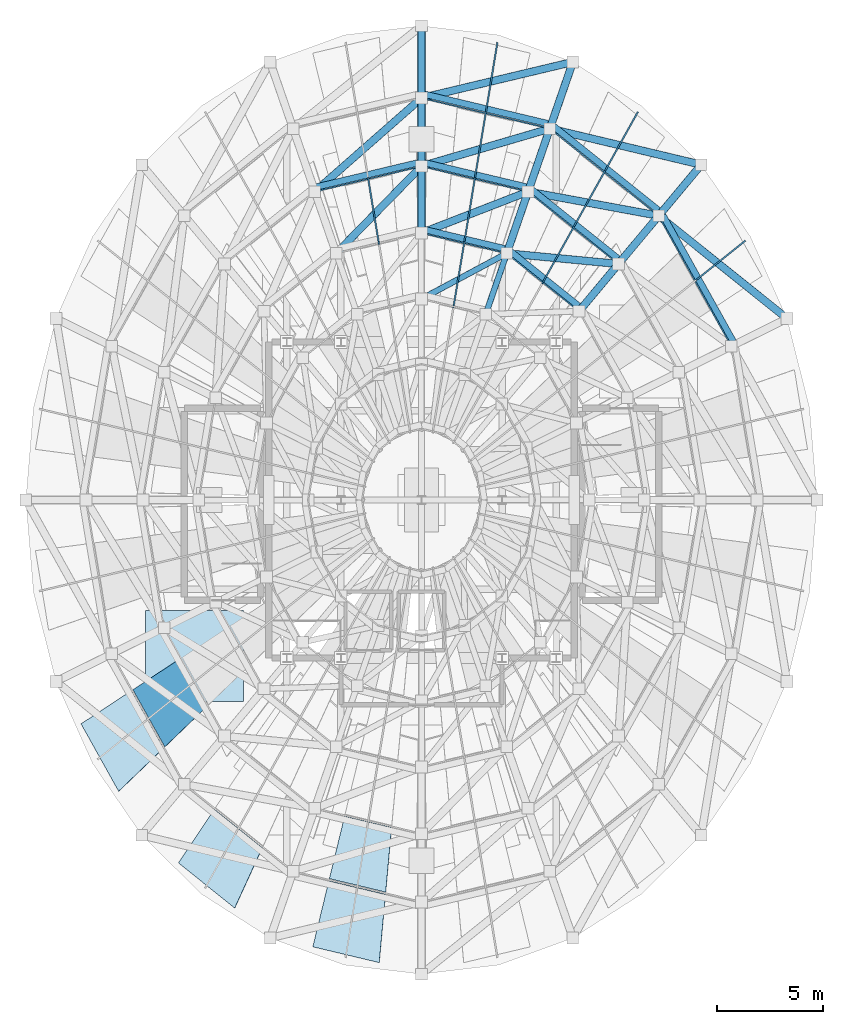
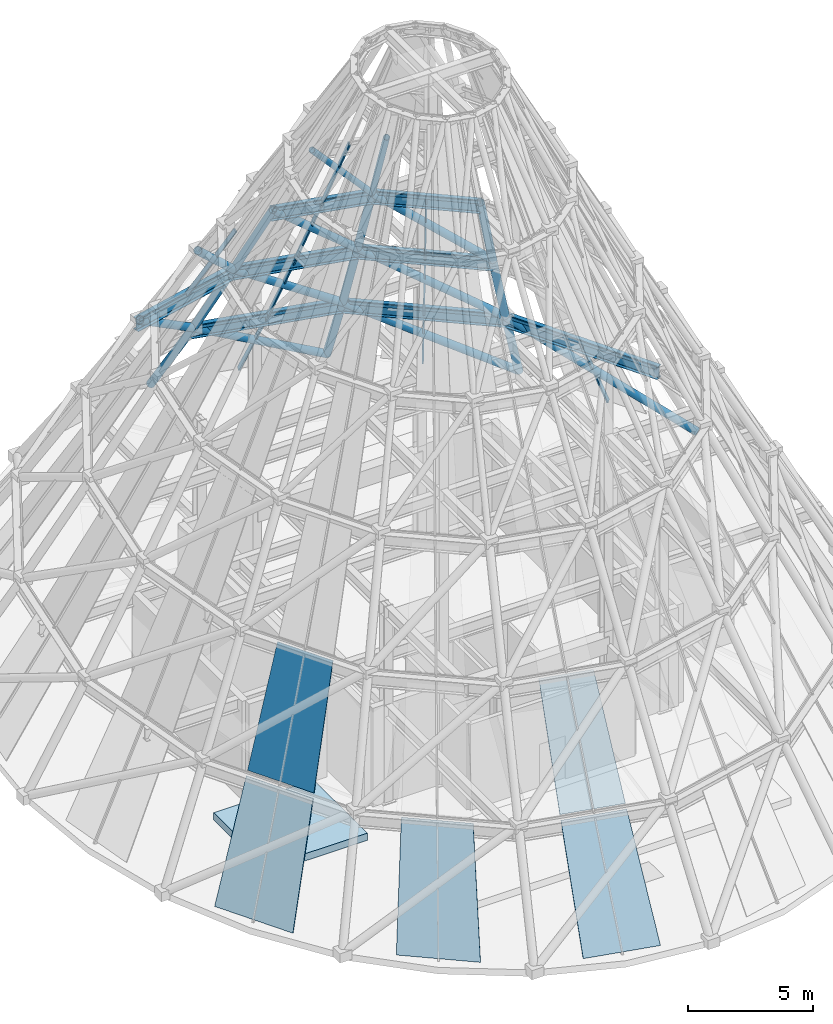
# One storey, part 10 of 16: 37 members, 8 beams, 5 plates, 1 slab, 4 elements without a shape of their own.
"""IFC4 building model written with IfcOpenShell, lengths in metres."""

from ifc_helpers import new_model, si_unit, direction, frame, origin, origin_2d, place, context, subcontext, project, spatial, polyline, hollow_rectangle, hollow_circle, i_section, outline, extrude, material, layer, layer_set, material_profile, profile_set, type_object, element, aggregate, save


model = new_model("IFC4")

# Units and contexts
model_context = context("Model", 3, precision=1e-05, world=origin(), true_north=direction((0.0, 1.0)))
body_context = subcontext(model_context, "Body", "Model", "MODEL_VIEW")
ifc_project = project(units=[si_unit("LENGTHUNIT", "METRE"), si_unit("AREAUNIT", "SQUARE_METRE"), si_unit("VOLUMEUNIT", "CUBIC_METRE"), si_unit("PLANEANGLEUNIT", "RADIAN"), si_unit("MASSUNIT", "GRAM", prefix="KILO")], contexts=[model_context])

# Site, building, storey
site_placement = place(None, origin())
site = spatial("IfcSite", under=ifc_project, at=site_placement, CompositionType="ELEMENT")
building_placement = place(site_placement, origin())
building = spatial("IfcBuilding", under=site, at=building_placement, Name="Veldorina Hangang Commons", CompositionType="ELEMENT")
storey_placement = place(building_placement, frame((0.0, 0.0, 308.39990234375)))
storey = spatial("IfcBuildingStorey", under=building, at=storey_placement, Name="Crown", CompositionType="ELEMENT", Elevation=308.39990234375)

# Beams
ifc_material_1 = material(Name="Steel SM460-TMC", Category="steel")
ifc_material_profile_1 = material_profile(ifc_material_1, i_section(OverallWidth=0.300048828125, OverallDepth=0.587890625, WebThickness=0.011962890625, FlangeThickness=0.02001953125, FilletRadius=0.01806640625, at=origin_2d()), Name="H-588x300x12x20")
ifc_profile_set_1 = profile_set([ifc_material_profile_1], Name="Steel SM460-TMC")
beam_type = type_object("IfcBeamType", Name="BM-FG588", PredefinedType="BEAM", material=ifc_profile_set_1)
beam_1_placement = place(storey_placement, frame((46.77197265625, 31.332763671875, 4.5), z_axis=(-0.48700541563, 0.873398949591, 0.0), x_axis=(-0.873398949591, -0.48700541563, 0.0)))
element("IfcBeam", 1, at=beam_1_placement, inside=storey, type_object=beam_type, Name="Crown tier 1 ring beam 01", PredefinedType="BEAM", context=body_context, shape_type="SweptSolid", body=[
    extrude(i_section(OverallWidth=0.300048828125, OverallDepth=0.587890625, WebThickness=0.011962890625, FlangeThickness=0.02001953125, FilletRadius=0.01806640625, at=origin_2d()), origin(), (0.0, 0.0, 1.0), 7.1171875),
])
beam_2_placement = place(storey_placement, frame((43.305908203125, 37.548828125, 4.5), z_axis=(-0.780592742978, 0.62503997441, 0.0), x_axis=(-0.62503997441, -0.780592742978, 0.0)))
element("IfcBeam", 2, at=beam_2_placement, inside=storey, type_object=beam_type, Name="Crown tier 1 ring beam 02", PredefinedType="BEAM", context=body_context, shape_type="SweptSolid", body=[
    extrude(i_section(OverallWidth=0.300048828125, OverallDepth=0.587890625, WebThickness=0.011962890625, FlangeThickness=0.02001953125, FilletRadius=0.01806640625, at=origin_2d()), origin(), (0.0, 0.0, 1.0), 6.645263671875),
])
beam_3_placement = place(storey_placement, frame((38.11865234375, 41.702392578125, 4.5), z_axis=(-0.972737457446, 0.231909117718, 0.0), x_axis=(-0.231909117718, -0.972737457446, 0.0)))
element("IfcBeam", 3, at=beam_3_placement, inside=storey, type_object=beam_type, Name="Crown tier 1 ring beam 03", PredefinedType="BEAM", context=body_context, shape_type="SweptSolid", body=[
    extrude(i_section(OverallWidth=0.300048828125, OverallDepth=0.587890625, WebThickness=0.011962890625, FlangeThickness=0.02001953125, FilletRadius=0.01806640625, at=origin_2d()), origin(), (0.0, 0.0, 1.0), 6.2900390625),
])
beam_4_placement = place(storey_placement, frame((41.40185546875, 35.26708984375, 9.300048828125), z_axis=(-0.780592886021, 0.625039795768, 0.0), x_axis=(-0.625039795768, -0.780592886021, 0.0)))
element("IfcBeam", 4, at=beam_4_placement, inside=storey, type_object=beam_type, Name="Crown tier 2 ring beam 02", PredefinedType="BEAM", context=body_context, shape_type="SweptSolid", body=[
    extrude(i_section(OverallWidth=0.300048828125, OverallDepth=0.587890625, WebThickness=0.011962890625, FlangeThickness=0.02001953125, FilletRadius=0.01806640625, at=origin_2d()), origin(), (0.0, 0.0, 1.0), 5.526123046875),
])
for number, where, z_axis, x_axis, name in (
    (5, (37.088134765625, 38.72119140625, 9.300048828125), (-0.972744581879, 0.231879232416, 0.0), (-0.231879232416, -0.972744581879, 0.0), "Crown tier 2 ring beam 03"),
    (6, (32.0, 39.93408203125, 9.300048828125), (-0.972744581879, -0.231879232416, 0.0), (0.231879232416, -0.972744581879, 0.0), "Crown tier 2 ring beam 04"),
):
    element("IfcBeam", number, at=place(storey_placement, frame(where, z_axis=z_axis, x_axis=x_axis)), inside=storey, type_object=beam_type, Name=name, PredefinedType="BEAM", context=body_context, shape_type="SweptSolid", body=[
        extrude(i_section(OverallWidth=0.300048828125, OverallDepth=0.587890625, WebThickness=0.011962890625, FlangeThickness=0.02001953125, FilletRadius=0.01806640625, at=origin_2d()), origin(), (0.0, 0.0, 1.0), 5.230712890625),
    ])
beam_5_placement = place(storey_placement, frame((39.54150390625, 33.03759765625, 14.10009765625), z_axis=(-0.780610819839, 0.625017398118, 0.0), x_axis=(-0.625017398118, -0.780610819839, 0.0)))
element("IfcBeam", 7, at=beam_5_placement, inside=storey, type_object=beam_type, Name="Crown tier 3 ring beam 02", PredefinedType="BEAM", context=body_context, shape_type="SweptSolid", body=[
    extrude(i_section(OverallWidth=0.300048828125, OverallDepth=0.587890625, WebThickness=0.011962890625, FlangeThickness=0.02001953125, FilletRadius=0.01806640625, at=origin_2d()), origin(), (0.0, 0.0, 1.0), 4.4326171875),
])
beam_6_placement = place(storey_placement, frame((36.081298828125, 35.80810546875, 14.10009765625), z_axis=(-0.972743744908, 0.231882743522, 0.0), x_axis=(-0.231882743522, -0.972743744908, 0.0)))
element("IfcBeam", 8, at=beam_6_placement, inside=storey, type_object=beam_type, Name="Crown tier 3 ring beam 03", PredefinedType="BEAM", context=body_context, shape_type="SweptSolid", body=[
    extrude(i_section(OverallWidth=0.300048828125, OverallDepth=0.587890625, WebThickness=0.011962890625, FlangeThickness=0.02001953125, FilletRadius=0.01806640625, at=origin_2d()), origin(), (0.0, 0.0, 1.0), 4.195556640625),
])

# Members
ifc_material_2 = material(Name="Steel SM355-TMC", Category="steel")
ifc_material_profile_2 = material_profile(ifc_material_2, hollow_circle(Radius=0.136474609375, WallThickness=0.011962890625, at=origin_2d()), Name="CHS-273.0x12")
ifc_profile_set_2 = profile_set([ifc_material_profile_2], Name="Steel SM355-TMC")
member_type_1 = type_object("IfcMemberType", Name="CRN-RIB273", PredefinedType="BRACE", material=ifc_profile_set_2)
member_1_placement = place(storey_placement, frame((36.0185546875, 35.626220703125, 14.400146484375), z_axis=(-0.174642809834, -0.505273499779, 0.845102703459), x_axis=(0.945136052308, -0.326676969845, 0.0)))
element("IfcMember", 9, at=member_1_placement, inside=storey, type_object=member_type_1, Name="Crown tier 4 CROWN FRAME meridian rib 03", PredefinedType="BRACE", context=body_context, shape_type="SweptSolid", body=[
    extrude(hollow_circle(Radius=0.136474609375, WallThickness=0.011962890625, at=origin_2d()), origin(), (0.0, 0.0, 1.0), 5.679931640625),
])
member_2_placement = place(storey_placement, frame((36.0185546875, 35.626220703125, 14.400146484375), z_axis=(-0.607166596877, -0.324609116192, 0.725243162892), x_axis=(0.471477856671, -0.881877900091, 0.0)))
element("IfcMember", 10, at=member_2_placement, inside=storey, type_object=member_type_1, Name="Crown tier 4 CROWN FRAME diagrid brace 03", PredefinedType="BRACE", context=body_context, shape_type="SweptSolid", body=[
    extrude(hollow_circle(Radius=0.136474609375, WallThickness=0.011962890625, at=origin_2d()), origin(), (0.0, 0.0, 1.0), 6.61865234375),
])
ifc_material_profile_3 = material_profile(ifc_material_2, hollow_circle(Radius=0.177734375, WallThickness=0.01611328125, at=origin_2d()), Name="CHS-355.6x16")
ifc_profile_set_3 = profile_set([ifc_material_profile_3], Name="Steel SM355-TMC")
member_type_2 = type_object("IfcMemberType", Name="CRN-RIB355", PredefinedType="BRACE", material=ifc_profile_set_3)
member_3_placement = place(storey_placement, frame((49.23046875, 32.552978515625, 0.0), z_axis=(-0.663582038521, 0.531486877066, 0.526479418077), x_axis=(-0.62514050466, -0.780512235287, 0.0)))
element("IfcMember", 11, at=member_3_placement, inside=storey, type_object=member_type_2, Name="Crown tier 1 CROWN FRAME diagrid brace 01", PredefinedType="BRACE", context=body_context, shape_type="SweptSolid", body=[
    extrude(hollow_circle(Radius=0.177734375, WallThickness=0.01611328125, at=origin_2d()), origin(), (0.0, 0.0, 1.0), 9.1171875),
])
member_4_placement = place(storey_placement, frame((45.1875, 39.8037109375, 0.0), z_axis=(-0.350168559507, -0.419597430934, 0.837448491482), x_axis=(0.767767513013, -0.640728527508, 0.0)))
element("IfcMember", 12, at=member_4_placement, inside=storey, type_object=member_type_2, Name="Crown tier 1 CROWN FRAME meridian rib 02", PredefinedType="BRACE", context=body_context, shape_type="SweptSolid", body=[
    extrude(hollow_circle(Radius=0.177734375, WallThickness=0.01611328125, at=origin_2d()), origin(), (0.0, 0.0, 1.0), 5.731689453125),
])
member_5_placement = place(storey_placement, frame((45.1875, 39.8037109375, 0.0), z_axis=(-0.813984788698, 0.194167895853, 0.547473827675), x_axis=(-0.232029880817, -0.972708658545, 0.0)))
element("IfcMember", 13, at=member_5_placement, inside=storey, type_object=member_type_2, Name="Crown tier 1 CROWN FRAME diagrid brace 02", PredefinedType="BRACE", context=body_context, shape_type="SweptSolid", body=[
    extrude(hollow_circle(Radius=0.177734375, WallThickness=0.01611328125, at=origin_2d()), origin(), (0.0, 0.0, 1.0), 8.767578125),
])
member_6_placement = place(storey_placement, frame((39.136962890625, 44.648681640625, 0.0), z_axis=(-0.186016034255, -0.538187995712, 0.822041188914), x_axis=(0.945137867095, -0.32667171929, 0.0)))
element("IfcMember", 14, at=member_6_placement, inside=storey, type_object=member_type_2, Name="Crown tier 1 CROWN FRAME meridian rib 03", PredefinedType="BRACE", context=body_context, shape_type="SweptSolid", body=[
    extrude(hollow_circle(Radius=0.177734375, WallThickness=0.01611328125, at=origin_2d()), origin(), (0.0, 0.0, 1.0), 5.839111328125),
])
member_7_placement = place(storey_placement, frame((39.136962890625, 44.648681640625, 0.0), z_axis=(-0.814033769308, -0.19392231962, 0.547488042225), x_axis=(0.231738993525, -0.97277800082, 0.0)))
element("IfcMember", 15, at=member_7_placement, inside=storey, type_object=member_type_2, Name="Crown tier 1 CROWN FRAME diagrid brace 03", PredefinedType="BRACE", context=body_context, shape_type="SweptSolid", body=[
    extrude(hollow_circle(Radius=0.177734375, WallThickness=0.01611328125, at=origin_2d()), origin(), (0.0, 0.0, 1.0), 8.767333984375),
])
member_8_placement = place(storey_placement, frame((32.0, 46.35009765625, 0.0), z_axis=(0.0, -0.578195793628, 0.815898047694), x_axis=(1.0, 0.0, 0.0)))
element("IfcMember", 16, at=member_8_placement, inside=storey, type_object=member_type_2, Name="Crown tier 1 CROWN FRAME meridian rib 04", PredefinedType="BRACE", context=body_context, shape_type="SweptSolid", body=[
    extrude(hollow_circle(Radius=0.177734375, WallThickness=0.01611328125, at=origin_2d()), origin(), (0.0, 0.0, 1.0), 5.883056640625),
])
member_9_placement = place(storey_placement, frame((43.180419921875, 37.398681640625, 4.800048828125), z_axis=(-0.336386334792, -0.40313549555, 0.85107344336), x_axis=(0.767808896081, -0.640678936051, 0.0)))
element("IfcMember", 17, at=member_9_placement, inside=storey, type_object=member_type_2, Name="Crown tier 2 CROWN FRAME meridian rib 02", PredefinedType="BRACE", context=body_context, shape_type="SweptSolid", body=[
    extrude(hollow_circle(Radius=0.177734375, WallThickness=0.01611328125, at=origin_2d()), origin(), (0.0, 0.0, 1.0), 5.639892578125),
])
member_10_placement = place(storey_placement, frame((43.180419921875, 37.398681640625, 4.800048828125), z_axis=(-0.780397841349, 0.144090587672, 0.608454691627), x_axis=(-0.181568365692, -0.983378324237, 0.0)))
element("IfcMember", 18, at=member_10_placement, inside=storey, type_object=member_type_2, Name="Crown tier 2 CROWN FRAME diagrid brace 02", PredefinedType="BRACE", context=body_context, shape_type="SweptSolid", body=[
    extrude(hollow_circle(Radius=0.177734375, WallThickness=0.01611328125, at=origin_2d()), origin(), (0.0, 0.0, 1.0), 7.888916015625),
])
member_11_placement = place(storey_placement, frame((38.05078125, 41.506103515625, 4.800048828125), z_axis=(-0.17896971746, -0.517761179755, 0.836596199472), x_axis=(0.94513004186, -0.326694358651, 0.0)))
element("IfcMember", 19, at=member_11_placement, inside=storey, type_object=member_type_2, Name="Crown tier 2 CROWN FRAME meridian rib 03", PredefinedType="BRACE", context=body_context, shape_type="SweptSolid", body=[
    extrude(hollow_circle(Radius=0.177734375, WallThickness=0.01611328125, at=origin_2d()), origin(), (0.0, 0.0, 1.0), 5.737548828125),
])
member_12_placement = place(storey_placement, frame((38.05078125, 41.506103515625, 4.800048828125), z_axis=(-0.763560157241, -0.223762807539, 0.605727737714), x_axis=(0.28122494162, -0.959641877062, 0.0)))
element("IfcMember", 20, at=member_12_placement, inside=storey, type_object=member_type_2, Name="Crown tier 2 CROWN FRAME diagrid brace 03", PredefinedType="BRACE", context=body_context, shape_type="SweptSolid", body=[
    extrude(hollow_circle(Radius=0.177734375, WallThickness=0.01611328125, at=origin_2d()), origin(), (0.0, 0.0, 1.0), 7.92431640625),
])
member_13_placement = place(storey_placement, frame((32.0, 42.948486328125, 4.800048828125), z_axis=(0.0, -0.556561346257, 0.830806516496), x_axis=(1.0, 0.0, 0.0)))
element("IfcMember", 21, at=member_13_placement, inside=storey, type_object=member_type_2, Name="Crown tier 2 CROWN FRAME meridian rib 04", PredefinedType="BRACE", context=body_context, shape_type="SweptSolid", body=[
    extrude(hollow_circle(Radius=0.177734375, WallThickness=0.01611328125, at=origin_2d()), origin(), (0.0, 0.0, 1.0), 5.777587890625),
])
member_14_placement = place(storey_placement, frame((32.0, 42.948486328125, 4.800048828125), z_axis=(-0.610338171498, -0.536129496938, 0.583140188056), x_axis=(0.659956029597, -0.75130422533, 0.0)))
element("IfcMember", 22, at=member_14_placement, inside=storey, type_object=member_type_2, Name="Crown tier 2 CROWN FRAME diagrid brace 04", PredefinedType="BRACE", context=body_context, shape_type="SweptSolid", body=[
    extrude(hollow_circle(Radius=0.177734375, WallThickness=0.01611328125, at=origin_2d()), origin(), (0.0, 0.0, 1.0), 8.2314453125),
])
member_15_placement = place(storey_placement, frame((41.283203125, 35.125, 9.60009765625), z_axis=(-0.331295255321, -0.397031895995, 0.855925888944), x_axis=(0.767807072832, -0.64068112108, 0.0)))
element("IfcMember", 23, at=member_15_placement, inside=storey, type_object=member_type_2, Name="Crown tier 3 CROWN FRAME meridian rib 02", PredefinedType="BRACE", context=body_context, shape_type="SweptSolid", body=[
    extrude(hollow_circle(Radius=0.177734375, WallThickness=0.01611328125, at=origin_2d()), origin(), (0.0, 0.0, 1.0), 5.60791015625),
])
member_16_placement = place(storey_placement, frame((41.283203125, 35.125, 9.60009765625), z_axis=(-0.737138875835, 0.07017928548, 0.672087156269), x_axis=(-0.094776414096, -0.995498584294, 0.0)))
element("IfcMember", 24, at=member_16_placement, inside=storey, type_object=member_type_2, Name="Crown tier 3 CROWN FRAME diagrid brace 02", PredefinedType="BRACE", context=body_context, shape_type="SweptSolid", body=[
    extrude(hollow_circle(Radius=0.177734375, WallThickness=0.01611328125, at=origin_2d()), origin(), (0.0, 0.0, 1.0), 7.14208984375),
])
member_17_placement = place(storey_placement, frame((37.02392578125, 38.535400390625, 9.60009765625), z_axis=(-0.176314249131, -0.510189556253, 0.841795641616), x_axis=(0.94515192212, -0.326631051971, 0.0)))
element("IfcMember", 25, at=member_17_placement, inside=storey, type_object=member_type_2, Name="Crown tier 3 CROWN FRAME meridian rib 03", PredefinedType="BRACE", context=body_context, shape_type="SweptSolid", body=[
    extrude(hollow_circle(Radius=0.177734375, WallThickness=0.01611328125, at=origin_2d()), origin(), (0.0, 0.0, 1.0), 5.7021484375),
])
member_18_placement = place(storey_placement, frame((37.02392578125, 38.535400390625, 9.60009765625), z_axis=(-0.696108596813, -0.270351827473, 0.665088498491), x_axis=(0.362030881665, -0.932166101465, 0.0)))
element("IfcMember", 26, at=member_18_placement, inside=storey, type_object=member_type_2, Name="Crown tier 3 CROWN FRAME diagrid brace 03", PredefinedType="BRACE", context=body_context, shape_type="SweptSolid", body=[
    extrude(hollow_circle(Radius=0.177734375, WallThickness=0.01611328125, at=origin_2d()), origin(), (0.0, 0.0, 1.0), 7.217041015625),
])
member_19_placement = place(storey_placement, frame((32.0, 39.73291015625, 9.60009765625), z_axis=(0.0, -0.548492006114, 0.836155798419), x_axis=(1.0, 0.0, 0.0)))
element("IfcMember", 27, at=member_19_placement, inside=storey, type_object=member_type_2, Name="Crown tier 3 CROWN FRAME meridian rib 04", PredefinedType="BRACE", context=body_context, shape_type="SweptSolid", body=[
    extrude(hollow_circle(Radius=0.177734375, WallThickness=0.01611328125, at=origin_2d()), origin(), (0.0, 0.0, 1.0), 5.74072265625),
])
member_20_placement = place(storey_placement, frame((32.0, 39.73291015625, 9.60009765625), z_axis=(-0.536742521296, -0.548514334795, 0.641123615504), x_axis=(0.714734743626, -0.699395629278, 0.0)))
element("IfcMember", 28, at=member_20_placement, inside=storey, type_object=member_type_2, Name="Crown tier 3 CROWN FRAME diagrid brace 04", PredefinedType="BRACE", context=body_context, shape_type="SweptSolid", body=[
    extrude(hollow_circle(Radius=0.177734375, WallThickness=0.01611328125, at=origin_2d()), origin(), (0.0, 0.0, 1.0), 7.48681640625),
])

# Curtain wall, members
ifc_material_3 = material(Name="Glass Low-Iron Laminated", Category="glass")
ifc_layer_1 = layer(ifc_material_3, 0.179931640625)
ifc_layer_set_1 = layer_set([ifc_layer_1], Name="Glass Low-Iron Laminated")
curtain_wall_type = type_object("IfcCurtainWallType", Name="CW-SYS-CRN", PredefinedType="NOTDEFINED", material=ifc_layer_set_1)
curtain_wall_1_placement = place(storey_placement, origin())
curtain_wall_1 = element("IfcCurtainWall", 29, at=curtain_wall_1_placement, inside=storey, type_object=curtain_wall_type, Name="Crown glass-point sloped pyramidal curtain wall tier 1", PredefinedType="NOTDEFINED")
ifc_material_4 = material(Name="Aluminium Anodized AA6063-T6", Category="aluminium")
ifc_material_profile_4 = material_profile(ifc_material_4, hollow_rectangle(XDim=0.070068359375, YDim=0.179931640625, WallThickness=0.00390625, at=origin_2d()), Name="ALU-RHS-180x70x4")
ifc_profile_set_4 = profile_set([ifc_material_profile_4], Name="Aluminium Anodized AA6063-T6")
member_type_3 = type_object("IfcMemberType", Name="CW-MUL-180", PredefinedType="MULLION", material=ifc_profile_set_4)
member_21_placement = place(storey_placement, frame((47.208984375, 36.178466796875, 0.0), z_axis=(-0.410251211856, -0.32851251982, 0.850748768728), x_axis=(0.625056433501, -0.780579563491, 0.0)))
member_21 = element("IfcMember", 30, at=member_21_placement, type_object=member_type_3, Name="CW-CRN-T1 sloped mid-facet mullion 2", PredefinedType="MULLION", context=body_context, shape_type="SweptSolid", body=[
    extrude(hollow_rectangle(XDim=0.070068359375, YDim=0.179931640625, WallThickness=0.00390625, at=origin_2d()), origin(), (0.0, 0.0, 1.0), 5.64208984375),
])
member_22_placement = place(storey_placement, frame((42.162353515625, 42.226318359375, 0.0), z_axis=(-0.268716482748, -0.48195054096, 0.833975496024), x_axis=(0.873412920145, -0.486980359895, 0.0)))
member_22 = element("IfcMember", 31, at=member_22_placement, type_object=member_type_3, Name="CW-CRN-T1 sloped mid-facet mullion 3", PredefinedType="MULLION", context=body_context, shape_type="SweptSolid", body=[
    extrude(hollow_rectangle(XDim=0.070068359375, YDim=0.179931640625, WallThickness=0.00390625, at=origin_2d()), origin(), (0.0, 0.0, 1.0), 5.755615234375),
])
member_23_placement = place(storey_placement, frame((35.568603515625, 45.499267578125, 0.0), z_axis=(-0.093103638593, -0.560797736822, 0.82270141051), x_axis=(0.986497177914, -0.163778258533, 0.0)))
member_23 = element("IfcMember", 32, at=member_23_placement, type_object=member_type_3, Name="CW-CRN-T1 sloped mid-facet mullion 4", PredefinedType="MULLION", context=body_context, shape_type="SweptSolid", body=[
    extrude(hollow_rectangle(XDim=0.070068359375, YDim=0.179931640625, WallThickness=0.00390625, at=origin_2d()), origin(), (0.0, 0.0, 1.0), 5.83447265625),
])

curtain_wall_2_placement = place(storey_placement, origin())
curtain_wall_2 = element("IfcCurtainWall", 33, at=curtain_wall_2_placement, inside=storey, type_object=curtain_wall_type, Name="Crown glass-point sloped pyramidal curtain wall tier 2", PredefinedType="NOTDEFINED")
member_24_placement = place(storey_placement, frame((40.61572265625, 39.452392578125, 4.800048828125), z_axis=(-0.25825402247, -0.463166881842, 0.847809707094), x_axis=(0.873404448516, -0.486995553688, 0.0)))
member_24 = element("IfcMember", 34, at=member_24_placement, type_object=member_type_3, Name="CW-CRN-T2 sloped mid-facet mullion 3", PredefinedType="MULLION", context=body_context, shape_type="SweptSolid", body=[
    extrude(hollow_rectangle(XDim=0.070068359375, YDim=0.179931640625, WallThickness=0.00390625, at=origin_2d()), origin(), (0.0, 0.0, 1.0), 5.66162109375),
])
member_25_placement = place(storey_placement, frame((35.025390625, 42.227294921875, 4.800048828125), z_axis=(-0.089551725769, -0.539482079778, 0.83722134111), x_axis=(0.986501044241, -0.163754968509, 0.0)))
member_25 = element("IfcMember", 35, at=member_25_placement, type_object=member_type_3, Name="CW-CRN-T2 sloped mid-facet mullion 4", PredefinedType="MULLION", context=body_context, shape_type="SweptSolid", body=[
    extrude(hollow_rectangle(XDim=0.070068359375, YDim=0.179931640625, WallThickness=0.00390625, at=origin_2d()), origin(), (0.0, 0.0, 1.0), 5.7333984375),
])

curtain_wall_3_placement = place(storey_placement, origin())
curtain_wall_3 = element("IfcCurtainWall", 36, at=curtain_wall_3_placement, inside=storey, type_object=curtain_wall_type, Name="Crown glass-point sloped pyramidal curtain wall tier 3", PredefinedType="NOTDEFINED")
member_26_placement = place(storey_placement, frame((39.153564453125, 36.830078125, 9.60009765625), z_axis=(-0.254339513365, -0.456197646926, 0.852757362255), x_axis=(0.873427723074, -0.486953809479, 0.0)))
member_26 = element("IfcMember", 37, at=member_26_placement, type_object=member_type_3, Name="CW-CRN-T3 sloped mid-facet mullion 3", PredefinedType="MULLION", context=body_context, shape_type="SweptSolid", body=[
    extrude(hollow_rectangle(XDim=0.070068359375, YDim=0.179931640625, WallThickness=0.00390625, at=origin_2d()), origin(), (0.0, 0.0, 1.0), 5.62890625),
])
member_27_placement = place(storey_placement, frame((34.511962890625, 39.13427734375, 9.60009765625), z_axis=(-0.088219882825, -0.531590134146, 0.842394908314), x_axis=(0.986507582932, -0.163715572923, 0.0)))
member_27 = element("IfcMember", 38, at=member_27_placement, type_object=member_type_3, Name="CW-CRN-T3 sloped mid-facet mullion 4", PredefinedType="MULLION", context=body_context, shape_type="SweptSolid", body=[
    extrude(hollow_rectangle(XDim=0.070068359375, YDim=0.179931640625, WallThickness=0.00390625, at=origin_2d()), origin(), (0.0, 0.0, 1.0), 5.697998046875),
])
member_28_placement = place(storey_placement, frame((29.488037109375, 39.13427734375, 9.60009765625), z_axis=(0.088219882825, -0.531590134146, 0.842394908314), x_axis=(0.986507582932, 0.163715572923, 0.0)))
member_28 = element("IfcMember", 39, at=member_28_placement, type_object=member_type_3, Name="CW-CRN-T3 sloped mid-facet mullion 5", PredefinedType="MULLION", context=body_context, shape_type="SweptSolid", body=[
    extrude(hollow_rectangle(XDim=0.070068359375, YDim=0.179931640625, WallThickness=0.00390625, at=origin_2d()), origin(), (0.0, 0.0, 1.0), 5.697998046875),
])

# Curtain wall, member
curtain_wall_4_placement = place(storey_placement, origin())
curtain_wall_4 = element("IfcCurtainWall", 40, at=curtain_wall_4_placement, inside=storey, type_object=curtain_wall_type, Name="Crown glass-point sloped pyramidal curtain wall tier 4", PredefinedType="NOTDEFINED")
member_29_placement = place(storey_placement, frame((34.00927734375, 36.105224609375, 14.400146484375), z_axis=(-0.087404756742, -0.526450205595, 0.845701241295), x_axis=(0.986496119713, -0.163784632344, 0.0)))
member_29 = element("IfcMember", 41, at=member_29_placement, type_object=member_type_3, Name="CW-CRN-T4 sloped mid-facet mullion 4", PredefinedType="MULLION", context=body_context, shape_type="SweptSolid", body=[
    extrude(hollow_rectangle(XDim=0.070068359375, YDim=0.179931640625, WallThickness=0.00390625, at=origin_2d()), origin(), (0.0, 0.0, 1.0), 5.67578125),
])
aggregate(curtain_wall_4, [member_29])

# Member
ifc_material_profile_5 = material_profile(ifc_material_4, hollow_rectangle(XDim=0.06005859375, YDim=0.139892578125, WallThickness=0.00341796875, at=origin_2d()), Name="ALU-RHS-140x60x3.5")
ifc_profile_set_5 = profile_set([ifc_material_profile_5], Name="Aluminium Anodized AA6063-T6")
member_type_4 = type_object("IfcMemberType", Name="CW-TRN-140", PredefinedType="USERDEFINED", material=ifc_profile_set_5)
member_30_placement = place(storey_placement, frame((46.60791015625, 31.251220703125, 4.800048828125), z_axis=(-0.4869706204, 0.873418350429, 0.0), x_axis=(-0.873418350429, -0.4869706204, 0.0)))
member_30 = element("IfcMember", 42, at=member_30_placement, type_object=member_type_4, Name="CW-CRN-T1 horizontal ring transom 2", ObjectType="TRANSOM", PredefinedType="USERDEFINED", context=body_context, shape_type="SweptSolid", body=[
    extrude(hollow_rectangle(XDim=0.06005859375, YDim=0.139892578125, WallThickness=0.00341796875, at=origin_2d()), origin(), (0.0, 0.0, 1.0), 7.038330078125),
])

member_31_placement = place(storey_placement, frame((43.180419921875, 37.398681640625, 4.800048828125), z_axis=(-0.78059326765, 0.625039319163, 0.0), x_axis=(-0.625039319163, -0.78059326765, 0.0)))
member_31 = element("IfcMember", 43, at=member_31_placement, type_object=member_type_4, Name="CW-CRN-T1 horizontal ring transom 3", ObjectType="TRANSOM", PredefinedType="USERDEFINED", context=body_context, shape_type="SweptSolid", body=[
    extrude(hollow_rectangle(XDim=0.06005859375, YDim=0.139892578125, WallThickness=0.00341796875, at=origin_2d()), origin(), (0.0, 0.0, 1.0), 6.571533203125),
])

member_32_placement = place(storey_placement, frame((38.05078125, 41.506103515625, 4.800048828125), z_axis=(-0.972743852943, 0.231882290316, 0.0), x_axis=(-0.231882290316, -0.972743852943, 0.0)))
member_32 = element("IfcMember", 44, at=member_32_placement, type_object=member_type_4, Name="CW-CRN-T1 horizontal ring transom 4", ObjectType="TRANSOM", PredefinedType="USERDEFINED", context=body_context, shape_type="SweptSolid", body=[
    extrude(hollow_rectangle(XDim=0.06005859375, YDim=0.139892578125, WallThickness=0.00341796875, at=origin_2d()), origin(), (0.0, 0.0, 1.0), 6.22021484375),
])

member_33_placement = place(storey_placement, frame((41.283203125, 35.125, 9.60009765625), z_axis=(-0.780602457603, 0.625027841927, 0.0), x_axis=(-0.625027841927, -0.780602457603, 0.0)))
member_33 = element("IfcMember", 45, at=member_33_placement, type_object=member_type_4, Name="CW-CRN-T2 horizontal ring transom 3", ObjectType="TRANSOM", PredefinedType="USERDEFINED", context=body_context, shape_type="SweptSolid", body=[
    extrude(hollow_rectangle(XDim=0.06005859375, YDim=0.139892578125, WallThickness=0.00341796875, at=origin_2d()), origin(), (0.0, 0.0, 1.0), 5.456298828125),
])

member_34_placement = place(storey_placement, frame((37.02392578125, 38.535400390625, 9.60009765625), z_axis=(-0.972747855576, 0.231865498668, 0.0), x_axis=(-0.231865498668, -0.972747855576, 0.0)))
member_34 = element("IfcMember", 46, at=member_34_placement, type_object=member_type_4, Name="CW-CRN-T2 horizontal ring transom 4", ObjectType="TRANSOM", PredefinedType="USERDEFINED", context=body_context, shape_type="SweptSolid", body=[
    extrude(hollow_rectangle(XDim=0.06005859375, YDim=0.139892578125, WallThickness=0.00341796875, at=origin_2d()), origin(), (0.0, 0.0, 1.0), 5.164794921875),
])

member_35_placement = place(storey_placement, frame((32.0, 39.73291015625, 9.60009765625), z_axis=(-0.972747855576, -0.231865498668, 0.0), x_axis=(0.231865498668, -0.972747855576, 0.0)))
member_35 = element("IfcMember", 47, at=member_35_placement, type_object=member_type_4, Name="CW-CRN-T2 horizontal ring transom 5", ObjectType="TRANSOM", PredefinedType="USERDEFINED", context=body_context, shape_type="SweptSolid", body=[
    extrude(hollow_rectangle(XDim=0.06005859375, YDim=0.139892578125, WallThickness=0.00341796875, at=origin_2d()), origin(), (0.0, 0.0, 1.0), 5.164794921875),
])

member_36_placement = place(storey_placement, frame((39.42529296875, 32.8984375, 14.400146484375), z_axis=(-0.780601312418, 0.625029272155, 0.0), x_axis=(-0.625029272155, -0.780601312418, 0.0)))
member_36 = element("IfcMember", 48, at=member_36_placement, type_object=member_type_4, Name="CW-CRN-T3 horizontal ring transom 3", ObjectType="TRANSOM", PredefinedType="USERDEFINED", context=body_context, shape_type="SweptSolid", body=[
    extrude(hollow_rectangle(XDim=0.06005859375, YDim=0.139892578125, WallThickness=0.00341796875, at=origin_2d()), origin(), (0.0, 0.0, 1.0), 4.3642578125),
])

member_37_placement = place(storey_placement, frame((36.0185546875, 35.626220703125, 14.400146484375), z_axis=(-0.972740229862, 0.231897488577, 0.0), x_axis=(-0.231897488577, -0.972740229862, 0.0)))
member_37 = element("IfcMember", 49, at=member_37_placement, type_object=member_type_4, Name="CW-CRN-T3 horizontal ring transom 4", ObjectType="TRANSOM", PredefinedType="USERDEFINED", context=body_context, shape_type="SweptSolid", body=[
    extrude(hollow_rectangle(XDim=0.06005859375, YDim=0.139892578125, WallThickness=0.00341796875, at=origin_2d()), origin(), (0.0, 0.0, 1.0), 4.131103515625),
])

aggregate(curtain_wall_3, [member_26, member_36, member_27, member_37, member_28])

# Plate
ifc_layer_2 = layer(ifc_material_3, 0.035888671875)
ifc_layer_set_2 = layer_set([ifc_layer_2], Name="Glass Low-Iron Laminated")
plate_type = type_object("IfcPlateType", Name="CW-PNL-CRN", PredefinedType="CURTAIN_PANEL", material=ifc_layer_set_2)
plate_1_placement = place(storey_placement, frame((15.95068359375, 13.448974609375, 0.09619140625), z_axis=(-0.745891079504, -0.415883856679, 0.52027599913), x_axis=(0.486984811339, -0.873410438182, 6.24931e-07)))
plate_1 = element("IfcPlate", 50, at=plate_1_placement, type_object=plate_type, Name="CW-CRN-T1 sloped laminated glass facet 10", PredefinedType="CURTAIN_PANEL", context=body_context, shape_type="SweptSolid", body=[
    extrude(outline(polyline([(0.0, 0.0), (3.6416015625, 0.0), (2.90283203125, 5.395751953125), (-0.205078125, 5.395751953125), (0.0, 0.0)])), origin(), (0.0, 0.0, -1.0), 0.035888671875),
])

plate_2_placement = place(storey_placement, frame((20.54150390625, 6.891845703125, 0.09619140625), z_axis=(-0.523450971717, -0.653737869914, 0.546466721447), x_axis=(0.780603142251, -0.625026986828, 6.701832e-06)))
plate_2 = element("IfcPlate", 51, at=plate_2_placement, type_object=plate_type, Name="CW-CRN-T1 sloped laminated glass facet 11", PredefinedType="CURTAIN_PANEL", context=body_context, shape_type="SweptSolid", body=[
    extrude(outline(polyline([(0.0, 0.0), (3.400390625, 0.0), (2.645751953125, 5.502197265625), (-0.25634765625, 5.502197265625), (0.0, 0.0)])), origin(), (0.0, 0.0, -1.0), 0.035888671875),
])

plate_3_placement = place(storey_placement, frame((26.876953125, 2.939208984375, 0.09619140625), z_axis=(-0.19088125261, -0.800892584871, 0.567569744526), x_axis=(0.972750279319, -0.231855329204, -2.0124626e-05)))
plate_3 = element("IfcPlate", 52, at=plate_3_placement, type_object=plate_type, Name="CW-CRN-T1 sloped laminated glass facet 12", PredefinedType="CURTAIN_PANEL", context=body_context, shape_type="SweptSolid", body=[
    extrude(outline(polyline([(0.0, 0.0), (3.218505859375, 0.0), (2.761474609375, 5.5966796875), (0.0146484375, 5.5966796875), (0.0, 0.0)])), origin(), (0.0, 0.0, -1.0), 0.035888671875),
])

aggregate(curtain_wall_1, [member_21, member_30, member_22, member_31, member_23, member_32, plate_1, plate_2, plate_3])

plate_4_placement = place(storey_placement, frame((18.39794921875, 15.057861328125, 4.89599609375), z_axis=(-0.756870414243, -0.422013951937, 0.499050498862), x_axis=(0.486988648974, -0.873408298409, -6.386499e-06)))
plate_4 = element("IfcPlate", 53, at=plate_4_placement, type_object=plate_type, Name="CW-CRN-T2 sloped laminated glass facet 10", PredefinedType="CURTAIN_PANEL", context=body_context, shape_type="SweptSolid", body=[
    extrude(outline(polyline([(0.0, 0.0), (3.086181640625, 0.0), (2.387939453125, 5.317626953125), (-0.19384765625, 5.317626953125), (0.0, 0.0)])), origin(), (0.0, 0.0, -1.0), 0.035888671875),
])

plate_5_placement = place(storey_placement, frame((27.658203125, 6.15087890625, 4.89599609375), z_axis=(-0.194323465566, -0.814982569707, 0.545932048705), x_axis=(0.972732985938, -0.23192787213, 1.4052451e-05)))
plate_5 = element("IfcPlate", 54, at=plate_5_placement, type_object=plate_type, Name="CW-CRN-T2 sloped laminated glass facet 12", PredefinedType="CURTAIN_PANEL", context=body_context, shape_type="SweptSolid", body=[
    extrude(outline(polyline([(0.0, 0.0), (2.727783203125, 0.0), (2.29541015625, 5.5), (0.013671875, 5.500244140625), (0.0, 0.0)])), origin(), (0.0, 0.0, -1.0), 0.035888671875),
])

aggregate(curtain_wall_2, [member_24, member_33, member_25, member_34, member_35, plate_4, plate_5])

# Slab
ifc_material_5 = material(Name="Concrete C40/50", Category="concrete")
ifc_layer_3 = layer(ifc_material_5, 0.35009765625)
ifc_layer_set_3 = layer_set([ifc_layer_3], Name="Concrete C40/50")
slab_type = type_object("IfcSlabType", Name="SL-BASE-350", PredefinedType="BASESLAB", material=ifc_layer_set_3)
slab_placement = place(storey_placement, origin())
element("IfcSlab", 55, at=slab_placement, inside=storey, type_object=slab_type, Name="Crown mechanical plant concrete plinth 3", PredefinedType="BASESLAB", context=body_context, shape_type="SweptSolid", body=[
    extrude(outline(polyline([(19.0, 14.5), (23.60009765625, 14.5), (23.60009765625, 18.800048828125), (19.0, 18.800048828125), (19.0, 14.5)])), origin(), (0.0, 0.0, 1.0), 0.35009765625),
])

save(model, "model.ifc")
